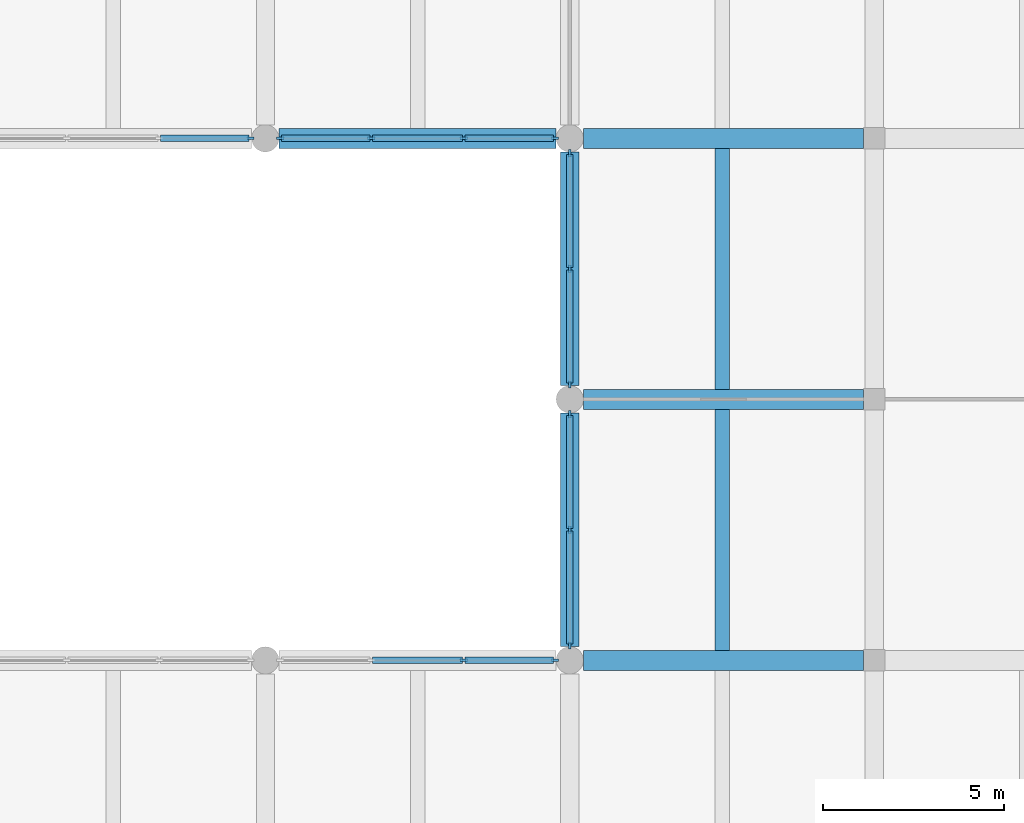
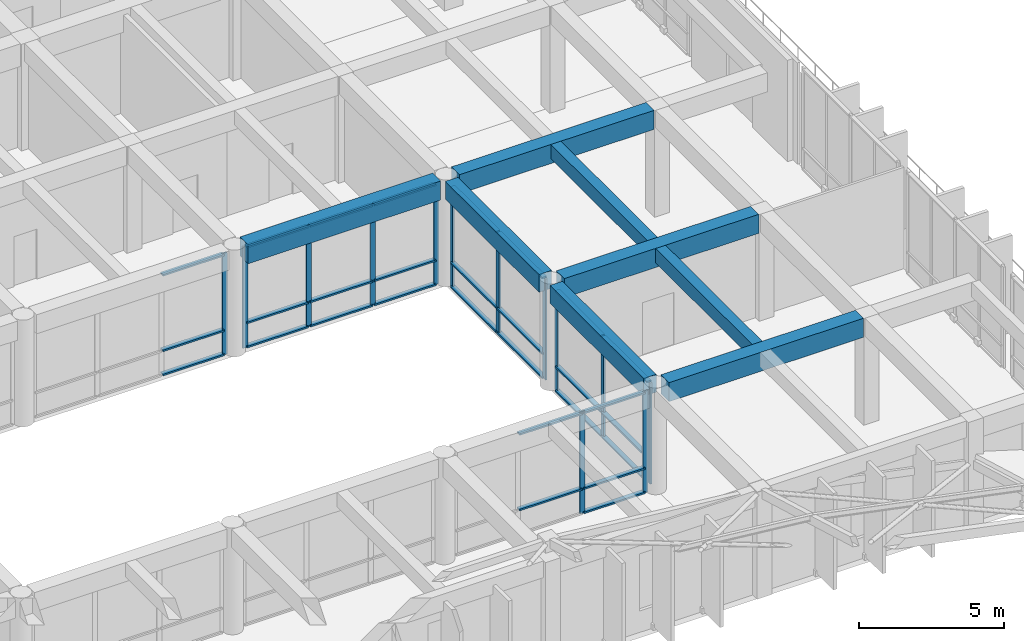
# One storey, part 7 of 23: 42 members, 8 beams, 5 elements without a shape of their own.
"""IFC4 building model written with IfcOpenShell, lengths in metres."""

from ifc_helpers import new_model, si_unit, direction, frame, origin, origin_2d, place, context, subcontext, project, spatial, rectangle, extrude, material, material_profile, profile_set, type_object, element, aggregate, save


model = new_model("IFC4")

# Units and contexts
model_context = context("Model", 3, precision=1e-05, world=origin(), true_north=direction((0.0, 1.0)))
body_context = subcontext(model_context, "Body", "Model", "MODEL_VIEW")
ifc_project = project(units=[si_unit("LENGTHUNIT", "METRE"), si_unit("AREAUNIT", "SQUARE_METRE"), si_unit("VOLUMEUNIT", "CUBIC_METRE"), si_unit("PLANEANGLEUNIT", "RADIAN"), si_unit("MASSUNIT", "GRAM", prefix="KILO")], contexts=[model_context])

# Site, building, storey
site_placement = place(None, origin())
site = spatial("IfcSite", under=ifc_project, at=site_placement, CompositionType="ELEMENT")
building_placement = place(site_placement, origin())
building = spatial("IfcBuilding", under=site, at=building_placement, Name="Kenerak Square Central Library", CompositionType="ELEMENT")
storey_placement = place(building_placement, frame((0.0, 0.0, 18.8798828125)))
storey = spatial("IfcBuildingStorey", under=building, at=storey_placement, Name="L04", CompositionType="ELEMENT", Elevation=18.8798828125)

# Curtain wall, members
ifc_material_1 = material(Name="Intumescent fire-resisting glazing EI 60", Category="glass")
curtain_wall_type_1 = type_object("IfcCurtainWallType", Name="Curtain Wall CW-AT60-76x42 7650x4255", PredefinedType="USERDEFINED", material=ifc_material_1)
curtain_wall_1_placement = place(storey_placement, origin())
curtain_wall_1 = element("IfcCurtainWall", 1, at=curtain_wall_1_placement, inside=storey, type_object=curtain_wall_type_1, Name="Atrium Fire-Rated Glazed Screen CW-AT60-76x42 L04 0179", ObjectType="CURTAIN WALL", PredefinedType="USERDEFINED")
ifc_material_2 = material(Name="Anodised aluminium 6063-T6", Category="aluminium")
ifc_material_profile_1 = material_profile(ifc_material_2, rectangle(XDim=0.070068359375, YDim=0.199951171875, at=origin_2d()), Name="AL MULLION 70x200")
ifc_profile_set_1 = profile_set([ifc_material_profile_1], Name="Anodised aluminium 6063-T6")
member_type_1 = type_object("IfcMemberType", Name="Fire-Rated Glazing Mullion CM-05 70x200", PredefinedType="MULLION", material=ifc_profile_set_1)
member_1_placement = place(storey_placement, frame((97.47509765625, 60.0, 0.0), z_axis=(0.0, 0.0, 1.0), x_axis=(0.0, 1.0, 0.0)))
member_1 = element("IfcMember", 2, at=member_1_placement, type_object=member_type_1, Name="CW-AT60-76x42 Mullion 3", PredefinedType="MULLION", context=body_context, shape_type="SweptSolid", body=[
    extrude(rectangle(XDim=0.070068359375, YDim=0.199951171875, at=origin_2d()), origin(), (0.0, 0.0, 1.0), 4.255126953125),
])
member_2_placement = place(storey_placement, frame((99.989990234375, 60.0, 0.0), z_axis=(0.0, 0.0, 1.0), x_axis=(0.0, 1.0, 0.0)))
member_2 = element("IfcMember", 3, at=member_2_placement, type_object=member_type_1, Name="CW-AT60-76x42 Mullion 4", PredefinedType="MULLION", context=body_context, shape_type="SweptSolid", body=[
    extrude(rectangle(XDim=0.070068359375, YDim=0.199951171875, at=origin_2d()), origin(), (0.0, 0.0, 1.0), 4.255126953125),
])

curtain_wall_type_2 = type_object("IfcCurtainWallType", Name="Curtain Wall CW-AT60-64x42 6450x4255", PredefinedType="USERDEFINED", material=ifc_material_1)
curtain_wall_2_placement = place(storey_placement, origin())
curtain_wall_2 = element("IfcCurtainWall", 4, at=curtain_wall_2_placement, inside=storey, type_object=curtain_wall_type_2, Name="Atrium Fire-Rated Glazed Screen CW-AT60-64x42 L04 0180", ObjectType="CURTAIN WALL", PredefinedType="USERDEFINED")
member_3_placement = place(storey_placement, frame((100.39990234375, 60.409912109375, 0.0), z_axis=(0.0, 0.0, 1.0), x_axis=(-1.0, 0.0, 0.0)))
member_3 = element("IfcMember", 5, at=member_3_placement, type_object=member_type_1, Name="CW-AT60-64x42 Mullion 1", PredefinedType="MULLION", context=body_context, shape_type="SweptSolid", body=[
    extrude(rectangle(XDim=0.070068359375, YDim=0.199951171875, at=origin_2d()), origin(), (0.0, 0.0, 1.0), 4.255126953125),
])
member_4_placement = place(storey_placement, frame((100.39990234375, 63.60009765625, 0.0), z_axis=(0.0, 0.0, 1.0), x_axis=(-1.0, 0.0, 0.0)))
member_4 = element("IfcMember", 6, at=member_4_placement, type_object=member_type_1, Name="CW-AT60-64x42 Mullion 2", PredefinedType="MULLION", context=body_context, shape_type="SweptSolid", body=[
    extrude(rectangle(XDim=0.070068359375, YDim=0.199951171875, at=origin_2d()), origin(), (0.0, 0.0, 1.0), 4.255126953125),
])
member_5_placement = place(storey_placement, frame((100.39990234375, 66.7900390625, 0.0), z_axis=(0.0, 0.0, 1.0), x_axis=(-1.0, 0.0, 0.0)))
member_5 = element("IfcMember", 7, at=member_5_placement, type_object=member_type_1, Name="CW-AT60-64x42 Mullion 3", PredefinedType="MULLION", context=body_context, shape_type="SweptSolid", body=[
    extrude(rectangle(XDim=0.070068359375, YDim=0.199951171875, at=origin_2d()), origin(), (0.0, 0.0, 1.0), 4.255126953125),
])

curtain_wall_3_placement = place(storey_placement, origin())
curtain_wall_3 = element("IfcCurtainWall", 8, at=curtain_wall_3_placement, inside=storey, type_object=curtain_wall_type_2, Name="Atrium Fire-Rated Glazed Screen CW-AT60-64x42 L04 0181", ObjectType="CURTAIN WALL", PredefinedType="USERDEFINED")
member_6_placement = place(storey_placement, frame((100.39990234375, 67.610107421875, 0.0), z_axis=(0.0, 0.0, 1.0), x_axis=(-1.0, 0.0, 0.0)))
member_6 = element("IfcMember", 9, at=member_6_placement, type_object=member_type_1, Name="CW-AT60-64x42 Mullion 1", PredefinedType="MULLION", context=body_context, shape_type="SweptSolid", body=[
    extrude(rectangle(XDim=0.070068359375, YDim=0.199951171875, at=origin_2d()), origin(), (0.0, 0.0, 1.0), 4.255126953125),
])
member_7_placement = place(storey_placement, frame((100.39990234375, 70.800048828125, 0.0), z_axis=(0.0, 0.0, 1.0), x_axis=(-1.0, 0.0, 0.0)))
member_7 = element("IfcMember", 10, at=member_7_placement, type_object=member_type_1, Name="CW-AT60-64x42 Mullion 2", PredefinedType="MULLION", context=body_context, shape_type="SweptSolid", body=[
    extrude(rectangle(XDim=0.070068359375, YDim=0.199951171875, at=origin_2d()), origin(), (0.0, 0.0, 1.0), 4.255126953125),
])
member_8_placement = place(storey_placement, frame((100.39990234375, 73.989990234375, 0.0), z_axis=(0.0, 0.0, 1.0), x_axis=(-1.0, 0.0, 0.0)))
member_8 = element("IfcMember", 11, at=member_8_placement, type_object=member_type_1, Name="CW-AT60-64x42 Mullion 3", PredefinedType="MULLION", context=body_context, shape_type="SweptSolid", body=[
    extrude(rectangle(XDim=0.070068359375, YDim=0.199951171875, at=origin_2d()), origin(), (0.0, 0.0, 1.0), 4.255126953125),
])

curtain_wall_4_placement = place(storey_placement, origin())
curtain_wall_4 = element("IfcCurtainWall", 12, at=curtain_wall_4_placement, inside=storey, type_object=curtain_wall_type_1, Name="Atrium Fire-Rated Glazed Screen CW-AT60-76x42 L04 0182", ObjectType="CURTAIN WALL", PredefinedType="USERDEFINED")
member_9_placement = place(storey_placement, frame((99.989990234375, 74.39990234375, 0.0), z_axis=(0.0, 0.0, 1.0), x_axis=(0.0, -1.0, 0.0)))
member_9 = element("IfcMember", 13, at=member_9_placement, type_object=member_type_1, Name="CW-AT60-76x42 Mullion 1", PredefinedType="MULLION", context=body_context, shape_type="SweptSolid", body=[
    extrude(rectangle(XDim=0.070068359375, YDim=0.199951171875, at=origin_2d()), origin(), (0.0, 0.0, 1.0), 4.255126953125),
])
member_10_placement = place(storey_placement, frame((97.47509765625, 74.39990234375, 0.0), z_axis=(0.0, 0.0, 1.0), x_axis=(0.0, -1.0, 0.0)))
member_10 = element("IfcMember", 14, at=member_10_placement, type_object=member_type_1, Name="CW-AT60-76x42 Mullion 2", PredefinedType="MULLION", context=body_context, shape_type="SweptSolid", body=[
    extrude(rectangle(XDim=0.070068359375, YDim=0.199951171875, at=origin_2d()), origin(), (0.0, 0.0, 1.0), 4.255126953125),
])
member_11_placement = place(storey_placement, frame((94.925048828125, 74.39990234375, 0.0), z_axis=(0.0, 0.0, 1.0), x_axis=(0.0, -1.0, 0.0)))
member_11 = element("IfcMember", 15, at=member_11_placement, type_object=member_type_1, Name="CW-AT60-76x42 Mullion 3", PredefinedType="MULLION", context=body_context, shape_type="SweptSolid", body=[
    extrude(rectangle(XDim=0.070068359375, YDim=0.199951171875, at=origin_2d()), origin(), (0.0, 0.0, 1.0), 4.255126953125),
])
member_12_placement = place(storey_placement, frame((92.409912109375, 74.39990234375, 0.0), z_axis=(0.0, 0.0, 1.0), x_axis=(0.0, -1.0, 0.0)))
member_12 = element("IfcMember", 16, at=member_12_placement, type_object=member_type_1, Name="CW-AT60-76x42 Mullion 4", PredefinedType="MULLION", context=body_context, shape_type="SweptSolid", body=[
    extrude(rectangle(XDim=0.070068359375, YDim=0.199951171875, at=origin_2d()), origin(), (0.0, 0.0, 1.0), 4.255126953125),
])

# Curtain wall, member
curtain_wall_5_placement = place(storey_placement, origin())
curtain_wall_5 = element("IfcCurtainWall", 17, at=curtain_wall_5_placement, inside=storey, type_object=curtain_wall_type_1, Name="Atrium Fire-Rated Glazed Screen CW-AT60-76x42 L04 0183", ObjectType="CURTAIN WALL", PredefinedType="USERDEFINED")
member_13_placement = place(storey_placement, frame((91.590087890625, 74.39990234375, 0.0), z_axis=(0.0, 0.0, 1.0), x_axis=(0.0, -1.0, 0.0)))
member_13 = element("IfcMember", 18, at=member_13_placement, type_object=member_type_1, Name="CW-AT60-76x42 Mullion 1", PredefinedType="MULLION", context=body_context, shape_type="SweptSolid", body=[
    extrude(rectangle(XDim=0.070068359375, YDim=0.199951171875, at=origin_2d()), origin(), (0.0, 0.0, 1.0), 4.255126953125),
])

# Member
ifc_material_profile_2 = material_profile(ifc_material_2, rectangle(XDim=0.179931640625, YDim=0.070068359375, at=origin_2d()), Name="AL TRANSOM 180x70")
ifc_profile_set_2 = profile_set([ifc_material_profile_2], Name="Anodised aluminium 6063-T6")
member_type_2 = type_object("IfcMemberType", Name="Fire-Rated Glazing Transom CT-15 180x70", PredefinedType="USERDEFINED", material=ifc_profile_set_2)
member_14_placement = place(storey_placement, frame((94.9599609375, 60.0, 1.050048828125), z_axis=(1.0, 0.0, 0.0), x_axis=(0.0, 1.0, 0.0)))
member_14 = element("IfcMember", 19, at=member_14_placement, type_object=member_type_2, Name="CW-AT60-76x42 Transom 2.2", ObjectType="TRANSOM", PredefinedType="USERDEFINED", context=body_context, shape_type="SweptSolid", body=[
    extrude(rectangle(XDim=0.179931640625, YDim=0.070068359375, at=origin_2d()), origin(), (0.0, 0.0, 1.0), 2.47998046875),
])

member_15_placement = place(storey_placement, frame((94.9599609375, 60.0, 4.22021484375), z_axis=(1.0, 0.0, 0.0), x_axis=(0.0, 1.0, 0.0)))
member_15 = element("IfcMember", 20, at=member_15_placement, type_object=member_type_2, Name="CW-AT60-76x42 Transom 2.3", ObjectType="TRANSOM", PredefinedType="USERDEFINED", context=body_context, shape_type="SweptSolid", body=[
    extrude(rectangle(XDim=0.179931640625, YDim=0.070068359375, at=origin_2d()), origin(), (0.0, 0.0, 1.0), 2.47998046875),
])

member_16_placement = place(storey_placement, frame((97.510009765625, 60.0, 0.03515625), z_axis=(1.0, 0.0, 0.0), x_axis=(0.0, 1.0, 0.0)))
member_16 = element("IfcMember", 21, at=member_16_placement, type_object=member_type_2, Name="CW-AT60-76x42 Transom 3.1", ObjectType="TRANSOM", PredefinedType="USERDEFINED", context=body_context, shape_type="SweptSolid", body=[
    extrude(rectangle(XDim=0.179931640625, YDim=0.070068359375, at=origin_2d()), origin(), (0.0, 0.0, 1.0), 2.445068359375),
])

member_17_placement = place(storey_placement, frame((97.510009765625, 60.0, 1.050048828125), z_axis=(1.0, 0.0, 0.0), x_axis=(0.0, 1.0, 0.0)))
member_17 = element("IfcMember", 22, at=member_17_placement, type_object=member_type_2, Name="CW-AT60-76x42 Transom 3.2", ObjectType="TRANSOM", PredefinedType="USERDEFINED", context=body_context, shape_type="SweptSolid", body=[
    extrude(rectangle(XDim=0.179931640625, YDim=0.070068359375, at=origin_2d()), origin(), (0.0, 0.0, 1.0), 2.445068359375),
])

member_18_placement = place(storey_placement, frame((97.510009765625, 60.0, 4.22021484375), z_axis=(1.0, 0.0, 0.0), x_axis=(0.0, 1.0, 0.0)))
member_18 = element("IfcMember", 23, at=member_18_placement, type_object=member_type_2, Name="CW-AT60-76x42 Transom 3.3", ObjectType="TRANSOM", PredefinedType="USERDEFINED", context=body_context, shape_type="SweptSolid", body=[
    extrude(rectangle(XDim=0.179931640625, YDim=0.070068359375, at=origin_2d()), origin(), (0.0, 0.0, 1.0), 2.445068359375),
])

aggregate(curtain_wall_1, [member_1, member_2, member_14, member_15, member_16, member_17, member_18])

member_19_placement = place(storey_placement, frame((100.39990234375, 60.445068359375, 0.03515625), z_axis=(0.0, 1.0, 0.0), x_axis=(-1.0, 0.0, 0.0)))
member_19 = element("IfcMember", 24, at=member_19_placement, type_object=member_type_2, Name="CW-AT60-64x42 Transom 1.1", ObjectType="TRANSOM", PredefinedType="USERDEFINED", context=body_context, shape_type="SweptSolid", body=[
    extrude(rectangle(XDim=0.179931640625, YDim=0.070068359375, at=origin_2d()), origin(), (0.0, 0.0, 1.0), 3.119873046875),
])

member_20_placement = place(storey_placement, frame((100.39990234375, 60.445068359375, 1.050048828125), z_axis=(0.0, 1.0, 0.0), x_axis=(-1.0, 0.0, 0.0)))
member_20 = element("IfcMember", 25, at=member_20_placement, type_object=member_type_2, Name="CW-AT60-64x42 Transom 1.2", ObjectType="TRANSOM", PredefinedType="USERDEFINED", context=body_context, shape_type="SweptSolid", body=[
    extrude(rectangle(XDim=0.179931640625, YDim=0.070068359375, at=origin_2d()), origin(), (0.0, 0.0, 1.0), 3.119873046875),
])

member_21_placement = place(storey_placement, frame((100.39990234375, 60.445068359375, 4.22021484375), z_axis=(0.0, 1.0, 0.0), x_axis=(-1.0, 0.0, 0.0)))
member_21 = element("IfcMember", 26, at=member_21_placement, type_object=member_type_2, Name="CW-AT60-64x42 Transom 1.3", ObjectType="TRANSOM", PredefinedType="USERDEFINED", context=body_context, shape_type="SweptSolid", body=[
    extrude(rectangle(XDim=0.179931640625, YDim=0.070068359375, at=origin_2d()), origin(), (0.0, 0.0, 1.0), 3.119873046875),
])

member_22_placement = place(storey_placement, frame((100.39990234375, 63.635009765625, 0.03515625), z_axis=(0.0, 1.0, 0.0), x_axis=(-1.0, 0.0, 0.0)))
member_22 = element("IfcMember", 27, at=member_22_placement, type_object=member_type_2, Name="CW-AT60-64x42 Transom 2.1", ObjectType="TRANSOM", PredefinedType="USERDEFINED", context=body_context, shape_type="SweptSolid", body=[
    extrude(rectangle(XDim=0.179931640625, YDim=0.070068359375, at=origin_2d()), origin(), (0.0, 0.0, 1.0), 3.119873046875),
])

member_23_placement = place(storey_placement, frame((100.39990234375, 63.635009765625, 1.050048828125), z_axis=(0.0, 1.0, 0.0), x_axis=(-1.0, 0.0, 0.0)))
member_23 = element("IfcMember", 28, at=member_23_placement, type_object=member_type_2, Name="CW-AT60-64x42 Transom 2.2", ObjectType="TRANSOM", PredefinedType="USERDEFINED", context=body_context, shape_type="SweptSolid", body=[
    extrude(rectangle(XDim=0.179931640625, YDim=0.070068359375, at=origin_2d()), origin(), (0.0, 0.0, 1.0), 3.119873046875),
])

member_24_placement = place(storey_placement, frame((100.39990234375, 63.635009765625, 4.22021484375), z_axis=(0.0, 1.0, 0.0), x_axis=(-1.0, 0.0, 0.0)))
member_24 = element("IfcMember", 29, at=member_24_placement, type_object=member_type_2, Name="CW-AT60-64x42 Transom 2.3", ObjectType="TRANSOM", PredefinedType="USERDEFINED", context=body_context, shape_type="SweptSolid", body=[
    extrude(rectangle(XDim=0.179931640625, YDim=0.070068359375, at=origin_2d()), origin(), (0.0, 0.0, 1.0), 3.119873046875),
])

aggregate(curtain_wall_2, [member_3, member_4, member_5, member_19, member_20, member_21, member_22, member_23, member_24])

member_25_placement = place(storey_placement, frame((100.39990234375, 67.64501953125, 0.03515625), z_axis=(0.0, 1.0, 0.0), x_axis=(-1.0, 0.0, 0.0)))
member_25 = element("IfcMember", 30, at=member_25_placement, type_object=member_type_2, Name="CW-AT60-64x42 Transom 1.1", ObjectType="TRANSOM", PredefinedType="USERDEFINED", context=body_context, shape_type="SweptSolid", body=[
    extrude(rectangle(XDim=0.179931640625, YDim=0.070068359375, at=origin_2d()), origin(), (0.0, 0.0, 1.0), 3.119873046875),
])

member_26_placement = place(storey_placement, frame((100.39990234375, 67.64501953125, 1.050048828125), z_axis=(0.0, 1.0, 0.0), x_axis=(-1.0, 0.0, 0.0)))
member_26 = element("IfcMember", 31, at=member_26_placement, type_object=member_type_2, Name="CW-AT60-64x42 Transom 1.2", ObjectType="TRANSOM", PredefinedType="USERDEFINED", context=body_context, shape_type="SweptSolid", body=[
    extrude(rectangle(XDim=0.179931640625, YDim=0.070068359375, at=origin_2d()), origin(), (0.0, 0.0, 1.0), 3.119873046875),
])

member_27_placement = place(storey_placement, frame((100.39990234375, 67.64501953125, 4.22021484375), z_axis=(0.0, 1.0, 0.0), x_axis=(-1.0, 0.0, 0.0)))
member_27 = element("IfcMember", 32, at=member_27_placement, type_object=member_type_2, Name="CW-AT60-64x42 Transom 1.3", ObjectType="TRANSOM", PredefinedType="USERDEFINED", context=body_context, shape_type="SweptSolid", body=[
    extrude(rectangle(XDim=0.179931640625, YDim=0.070068359375, at=origin_2d()), origin(), (0.0, 0.0, 1.0), 3.119873046875),
])

member_28_placement = place(storey_placement, frame((100.39990234375, 70.8349609375, 0.03515625), z_axis=(0.0, 1.0, 0.0), x_axis=(-1.0, 0.0, 0.0)))
member_28 = element("IfcMember", 33, at=member_28_placement, type_object=member_type_2, Name="CW-AT60-64x42 Transom 2.1", ObjectType="TRANSOM", PredefinedType="USERDEFINED", context=body_context, shape_type="SweptSolid", body=[
    extrude(rectangle(XDim=0.179931640625, YDim=0.070068359375, at=origin_2d()), origin(), (0.0, 0.0, 1.0), 3.1201171875),
])

member_29_placement = place(storey_placement, frame((100.39990234375, 70.8349609375, 1.050048828125), z_axis=(0.0, 1.0, 0.0), x_axis=(-1.0, 0.0, 0.0)))
member_29 = element("IfcMember", 34, at=member_29_placement, type_object=member_type_2, Name="CW-AT60-64x42 Transom 2.2", ObjectType="TRANSOM", PredefinedType="USERDEFINED", context=body_context, shape_type="SweptSolid", body=[
    extrude(rectangle(XDim=0.179931640625, YDim=0.070068359375, at=origin_2d()), origin(), (0.0, 0.0, 1.0), 3.1201171875),
])

member_30_placement = place(storey_placement, frame((100.39990234375, 70.8349609375, 4.22021484375), z_axis=(0.0, 1.0, 0.0), x_axis=(-1.0, 0.0, 0.0)))
member_30 = element("IfcMember", 35, at=member_30_placement, type_object=member_type_2, Name="CW-AT60-64x42 Transom 2.3", ObjectType="TRANSOM", PredefinedType="USERDEFINED", context=body_context, shape_type="SweptSolid", body=[
    extrude(rectangle(XDim=0.179931640625, YDim=0.070068359375, at=origin_2d()), origin(), (0.0, 0.0, 1.0), 3.1201171875),
])

aggregate(curtain_wall_3, [member_6, member_7, member_8, member_25, member_26, member_27, member_28, member_29, member_30])

member_31_placement = place(storey_placement, frame((99.955078125, 74.39990234375, 0.03515625), z_axis=(-1.0, 0.0, 0.0), x_axis=(0.0, -1.0, 0.0)))
member_31 = element("IfcMember", 36, at=member_31_placement, type_object=member_type_2, Name="CW-AT60-76x42 Transom 1.1", ObjectType="TRANSOM", PredefinedType="USERDEFINED", context=body_context, shape_type="SweptSolid", body=[
    extrude(rectangle(XDim=0.179931640625, YDim=0.070068359375, at=origin_2d()), origin(), (0.0, 0.0, 1.0), 2.445068359375),
])

member_32_placement = place(storey_placement, frame((99.955078125, 74.39990234375, 1.050048828125), z_axis=(-1.0, 0.0, 0.0), x_axis=(0.0, -1.0, 0.0)))
member_32 = element("IfcMember", 37, at=member_32_placement, type_object=member_type_2, Name="CW-AT60-76x42 Transom 1.2", ObjectType="TRANSOM", PredefinedType="USERDEFINED", context=body_context, shape_type="SweptSolid", body=[
    extrude(rectangle(XDim=0.179931640625, YDim=0.070068359375, at=origin_2d()), origin(), (0.0, 0.0, 1.0), 2.445068359375),
])

member_33_placement = place(storey_placement, frame((99.955078125, 74.39990234375, 4.22021484375), z_axis=(-1.0, 0.0, 0.0), x_axis=(0.0, -1.0, 0.0)))
member_33 = element("IfcMember", 38, at=member_33_placement, type_object=member_type_2, Name="CW-AT60-76x42 Transom 1.3", ObjectType="TRANSOM", PredefinedType="USERDEFINED", context=body_context, shape_type="SweptSolid", body=[
    extrude(rectangle(XDim=0.179931640625, YDim=0.070068359375, at=origin_2d()), origin(), (0.0, 0.0, 1.0), 2.445068359375),
])

member_34_placement = place(storey_placement, frame((97.43994140625, 74.39990234375, 0.03515625), z_axis=(-1.0, 0.0, 0.0), x_axis=(0.0, -1.0, 0.0)))
member_34 = element("IfcMember", 39, at=member_34_placement, type_object=member_type_2, Name="CW-AT60-76x42 Transom 2.1", ObjectType="TRANSOM", PredefinedType="USERDEFINED", context=body_context, shape_type="SweptSolid", body=[
    extrude(rectangle(XDim=0.179931640625, YDim=0.070068359375, at=origin_2d()), origin(), (0.0, 0.0, 1.0), 2.47998046875),
])

member_35_placement = place(storey_placement, frame((97.43994140625, 74.39990234375, 1.050048828125), z_axis=(-1.0, 0.0, 0.0), x_axis=(0.0, -1.0, 0.0)))
member_35 = element("IfcMember", 40, at=member_35_placement, type_object=member_type_2, Name="CW-AT60-76x42 Transom 2.2", ObjectType="TRANSOM", PredefinedType="USERDEFINED", context=body_context, shape_type="SweptSolid", body=[
    extrude(rectangle(XDim=0.179931640625, YDim=0.070068359375, at=origin_2d()), origin(), (0.0, 0.0, 1.0), 2.47998046875),
])

member_36_placement = place(storey_placement, frame((97.43994140625, 74.39990234375, 4.22021484375), z_axis=(-1.0, 0.0, 0.0), x_axis=(0.0, -1.0, 0.0)))
member_36 = element("IfcMember", 41, at=member_36_placement, type_object=member_type_2, Name="CW-AT60-76x42 Transom 2.3", ObjectType="TRANSOM", PredefinedType="USERDEFINED", context=body_context, shape_type="SweptSolid", body=[
    extrude(rectangle(XDim=0.179931640625, YDim=0.070068359375, at=origin_2d()), origin(), (0.0, 0.0, 1.0), 2.47998046875),
])

member_37_placement = place(storey_placement, frame((94.889892578125, 74.39990234375, 0.03515625), z_axis=(-1.0, 0.0, 0.0), x_axis=(0.0, -1.0, 0.0)))
member_37 = element("IfcMember", 42, at=member_37_placement, type_object=member_type_2, Name="CW-AT60-76x42 Transom 3.1", ObjectType="TRANSOM", PredefinedType="USERDEFINED", context=body_context, shape_type="SweptSolid", body=[
    extrude(rectangle(XDim=0.179931640625, YDim=0.070068359375, at=origin_2d()), origin(), (0.0, 0.0, 1.0), 2.44482421875),
])

member_38_placement = place(storey_placement, frame((94.889892578125, 74.39990234375, 1.050048828125), z_axis=(-1.0, 0.0, 0.0), x_axis=(0.0, -1.0, 0.0)))
member_38 = element("IfcMember", 43, at=member_38_placement, type_object=member_type_2, Name="CW-AT60-76x42 Transom 3.2", ObjectType="TRANSOM", PredefinedType="USERDEFINED", context=body_context, shape_type="SweptSolid", body=[
    extrude(rectangle(XDim=0.179931640625, YDim=0.070068359375, at=origin_2d()), origin(), (0.0, 0.0, 1.0), 2.44482421875),
])

member_39_placement = place(storey_placement, frame((94.889892578125, 74.39990234375, 4.22021484375), z_axis=(-1.0, 0.0, 0.0), x_axis=(0.0, -1.0, 0.0)))
member_39 = element("IfcMember", 44, at=member_39_placement, type_object=member_type_2, Name="CW-AT60-76x42 Transom 3.3", ObjectType="TRANSOM", PredefinedType="USERDEFINED", context=body_context, shape_type="SweptSolid", body=[
    extrude(rectangle(XDim=0.179931640625, YDim=0.070068359375, at=origin_2d()), origin(), (0.0, 0.0, 1.0), 2.44482421875),
])

aggregate(curtain_wall_4, [member_9, member_10, member_11, member_12, member_31, member_32, member_33, member_34, member_35, member_36, member_37, member_38, member_39])

member_40_placement = place(storey_placement, frame((91.554931640625, 74.39990234375, 0.03515625), z_axis=(-1.0, 0.0, 0.0), x_axis=(0.0, -1.0, 0.0)))
member_40 = element("IfcMember", 45, at=member_40_placement, type_object=member_type_2, Name="CW-AT60-76x42 Transom 1.1", ObjectType="TRANSOM", PredefinedType="USERDEFINED", context=body_context, shape_type="SweptSolid", body=[
    extrude(rectangle(XDim=0.179931640625, YDim=0.070068359375, at=origin_2d()), origin(), (0.0, 0.0, 1.0), 2.44482421875),
])

member_41_placement = place(storey_placement, frame((91.554931640625, 74.39990234375, 1.050048828125), z_axis=(-1.0, 0.0, 0.0), x_axis=(0.0, -1.0, 0.0)))
member_41 = element("IfcMember", 46, at=member_41_placement, type_object=member_type_2, Name="CW-AT60-76x42 Transom 1.2", ObjectType="TRANSOM", PredefinedType="USERDEFINED", context=body_context, shape_type="SweptSolid", body=[
    extrude(rectangle(XDim=0.179931640625, YDim=0.070068359375, at=origin_2d()), origin(), (0.0, 0.0, 1.0), 2.44482421875),
])

member_42_placement = place(storey_placement, frame((91.554931640625, 74.39990234375, 4.22021484375), z_axis=(-1.0, 0.0, 0.0), x_axis=(0.0, -1.0, 0.0)))
member_42 = element("IfcMember", 47, at=member_42_placement, type_object=member_type_2, Name="CW-AT60-76x42 Transom 1.3", ObjectType="TRANSOM", PredefinedType="USERDEFINED", context=body_context, shape_type="SweptSolid", body=[
    extrude(rectangle(XDim=0.179931640625, YDim=0.070068359375, at=origin_2d()), origin(), (0.0, 0.0, 1.0), 2.44482421875),
])

aggregate(curtain_wall_5, [member_13, member_40, member_41, member_42])

# Beams
ifc_material_3 = material(Name="Concrete C40/50", Category="concrete")
ifc_material_profile_3 = material_profile(ifc_material_3, rectangle(XDim=0.550048828125, YDim=0.800048828125, at=origin_2d()), Name="RC 550x800")
ifc_profile_set_3 = profile_set([ifc_material_profile_3], Name="Concrete C40/50")
beam_type_1 = type_object("IfcBeamType", Name="Primary Reading Beam B-04 RC 550x800 C40/50", PredefinedType="BEAM", material=ifc_profile_set_3)
for number, where, z_axis, x_axis, name in (
    (48, (100.77490234375, 60.0, 4.080078125), (1.0, 0.0, 0.0), (0.0, 1.0, 0.0), "Beam B-04 L04 1542"),
    (49, (100.77490234375, 67.199951171875, 4.080078125), (1.0, 0.0, 0.0), (0.0, 1.0, 0.0), "Beam B-04 L04 1543"),
):
    element("IfcBeam", number, at=place(storey_placement, frame(where, z_axis=z_axis, x_axis=x_axis)), inside=storey, type_object=beam_type_1, Name=name, PredefinedType="BEAM", context=body_context, shape_type="SweptSolid", body=[
        extrude(rectangle(XDim=0.550048828125, YDim=0.800048828125, at=origin_2d()), origin(), (0.0, 0.0, 1.0), 7.72509765625),
    ])
beam_1_placement = place(storey_placement, frame((92.375, 74.39990234375, 4.080078125), z_axis=(1.0, 0.0, 0.0), x_axis=(0.0, 1.0, 0.0)))
element("IfcBeam", 50, at=beam_1_placement, inside=storey, type_object=beam_type_1, Name="Beam B-04 L04 1546", PredefinedType="BEAM", context=body_context, shape_type="SweptSolid", body=[
    extrude(rectangle(XDim=0.550048828125, YDim=0.800048828125, at=origin_2d()), origin(), (0.0, 0.0, 1.0), 7.64990234375),
])
beam_2_placement = place(storey_placement, frame((100.77490234375, 74.39990234375, 4.080078125), z_axis=(1.0, 0.0, 0.0), x_axis=(0.0, 1.0, 0.0)))
element("IfcBeam", 51, at=beam_2_placement, inside=storey, type_object=beam_type_1, Name="Beam B-04 L04 1547", PredefinedType="BEAM", context=body_context, shape_type="SweptSolid", body=[
    extrude(rectangle(XDim=0.550048828125, YDim=0.800048828125, at=origin_2d()), origin(), (0.0, 0.0, 1.0), 7.72509765625),
])
ifc_material_profile_4 = material_profile(ifc_material_3, rectangle(XDim=0.39990234375, YDim=0.60009765625, at=origin_2d()), Name="RC 400x600")
ifc_profile_set_4 = profile_set([ifc_material_profile_4], Name="Concrete C40/50")
beam_type_2 = type_object("IfcBeamType", Name="Secondary Floor Joist J-01 RC 400x600 C40/50", PredefinedType="JOIST", material=ifc_profile_set_4)
beam_3_placement = place(storey_placement, frame((104.60009765625, 60.27490234375, 4.18017578125), z_axis=(0.0, 1.0, 0.0), x_axis=(-1.0, 0.0, 0.0)))
element("IfcBeam", 52, at=beam_3_placement, inside=storey, type_object=beam_type_2, Name="Joist J-01 L04 1638", PredefinedType="JOIST", context=body_context, shape_type="SweptSolid", body=[
    extrude(rectangle(XDim=0.39990234375, YDim=0.60009765625, at=origin_2d()), origin(), (0.0, 0.0, 1.0), 6.650146484375),
])
beam_4_placement = place(storey_placement, frame((104.60009765625, 67.47509765625, 4.18017578125), z_axis=(0.0, 1.0, 0.0), x_axis=(-1.0, 0.0, 0.0)))
element("IfcBeam", 53, at=beam_4_placement, inside=storey, type_object=beam_type_2, Name="Joist J-01 L04 1639", PredefinedType="JOIST", context=body_context, shape_type="SweptSolid", body=[
    extrude(rectangle(XDim=0.39990234375, YDim=0.60009765625, at=origin_2d()), origin(), (0.0, 0.0, 1.0), 6.64990234375),
])
ifc_material_profile_5 = material_profile(ifc_material_3, rectangle(XDim=0.5, YDim=0.75, at=origin_2d()), Name="RC 500x750")
ifc_profile_set_5 = profile_set([ifc_material_profile_5], Name="Concrete C40/50")
beam_type_3 = type_object("IfcBeamType", Name="Transverse Frame Beam B-05 RC 500x750 C40/50", PredefinedType="BEAM", material=ifc_profile_set_5)
for number, where, z_axis, x_axis, name in (
    (54, (100.39990234375, 60.375, 4.105224609375), (0.0, 1.0, 0.0), (-1.0, 0.0, 0.0), "Beam B-05 L04 1601"),
    (55, (100.39990234375, 67.574951171875, 4.105224609375), (0.0, 1.0, 0.0), (-1.0, 0.0, 0.0), "Beam B-05 L04 1602"),
):
    element("IfcBeam", number, at=place(storey_placement, frame(where, z_axis=z_axis, x_axis=x_axis)), inside=storey, type_object=beam_type_3, Name=name, PredefinedType="BEAM", context=body_context, shape_type="SweptSolid", body=[
        extrude(rectangle(XDim=0.5, YDim=0.75, at=origin_2d()), origin(), (0.0, 0.0, 1.0), 6.449951171875),
    ])

save(model, "model.ifc")
